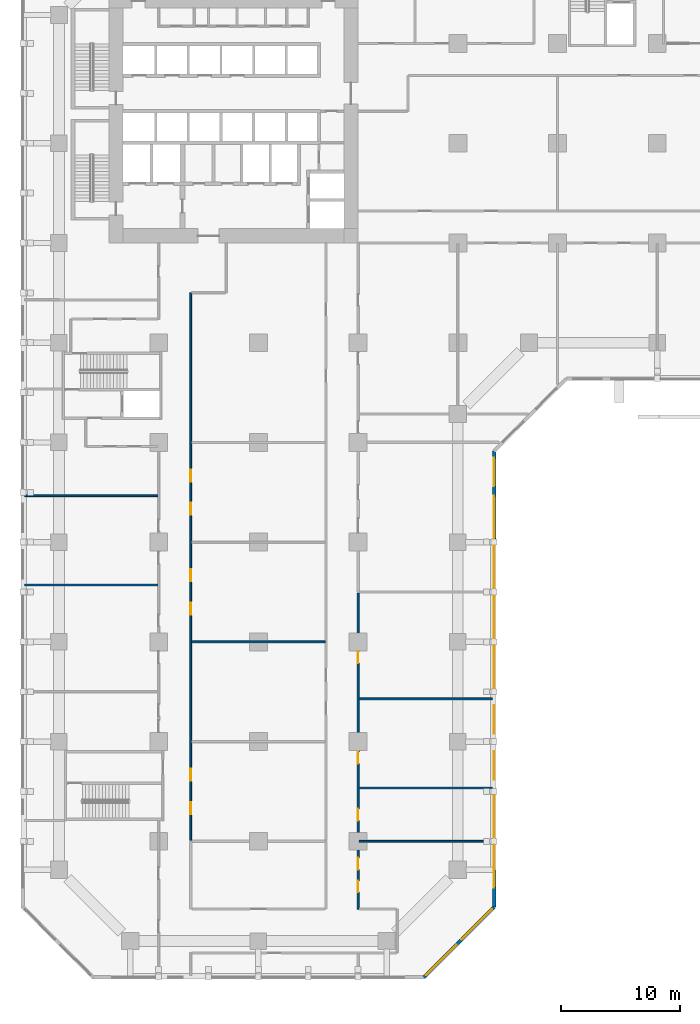
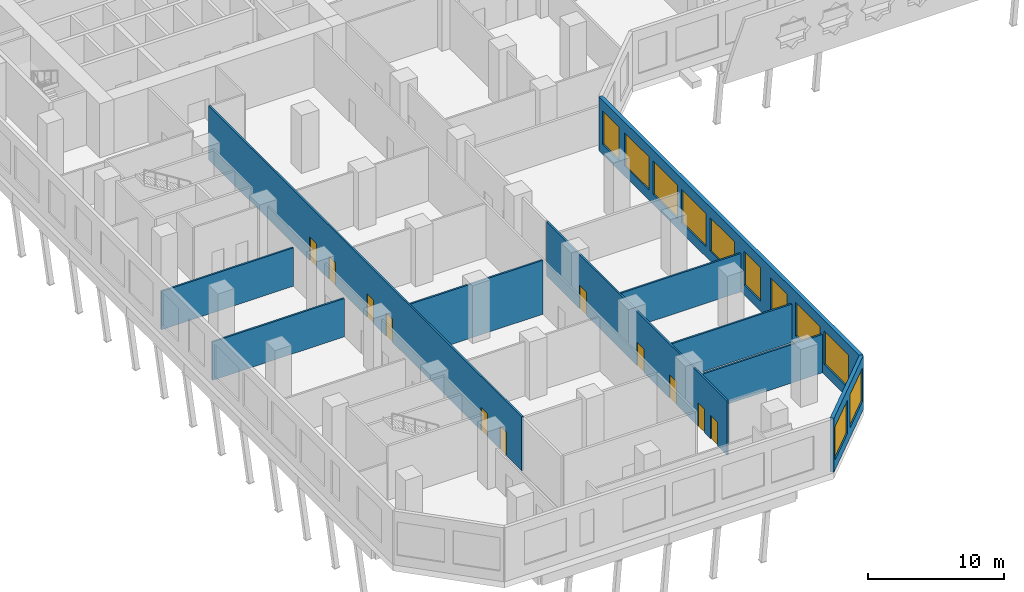
# One storey, part 4 of 21: 11 doors, 11 windows, 10 walls, 22 openings.
"""IFC4 building model written with IfcOpenShell, lengths in metres."""

import ifcopenshell
import ifcopenshell.guid

model = None  # the IFC model being written
_history = None  # IfcOwnerHistory: only IFC2X3 demands one
_inside = {}  # id of a spatial element -> (the spatial element, [elements in it])
_under = {}  # id of a project, library or spatial element -> (it, [spatial elements below it])
_declared = {}  # id of a project -> (the project, [libraries it declares])
_typed = {}  # id of a type object -> (the type object, [elements of that type])
_made_of = {}  # id of a material, layer set ... -> (it, [elements and type objects made of it])


def new_model(schema):
    """Start an empty IFC model of exactly this schema.

    Asked for "IFC4X3", IfcOpenShell would pick the latest addendum, in which some entities
    have other attributes; the version numbers below select the first issue.
    IFC2X3 requires an IfcOwnerHistory on every rooted entity: one is made here for all.
    """
    global model, _history
    if schema == "IFC4X3":
        model = ifcopenshell.file(schema_version=(4, 3, 0, 0))
    else:
        model = ifcopenshell.file(schema=schema)
    _inside.clear()
    _under.clear()
    _declared.clear()
    _typed.clear()
    _made_of.clear()
    _history = None
    if model.schema == "IFC2X3":
        org = make("IfcOrganization", Name="unknown")
        user = make(
            "IfcPersonAndOrganization",
            ThePerson=make("IfcPerson", FamilyName="unknown"),
            TheOrganization=org,
        )
        app = make(
            "IfcApplication",
            ApplicationDeveloper=org,
            Version="unknown",
            ApplicationFullName="unknown",
            ApplicationIdentifier="unknown",
        )
        _history = make(
            "IfcOwnerHistory",
            OwningUser=user,
            OwningApplication=app,
            ChangeAction="ADDED",
            CreationDate=0,
        )
    return model


def make(cls, **values):
    """One entity of the class cls with the attributes given. An attribute that is None is left unset."""
    return model.create_entity(
        cls, **{name: value for name, value in values.items() if value is not None}
    )


def rooted(cls, **values):
    """An entity with a GlobalId (a new one), such as an element, a storey or a relation."""
    return make(cls, GlobalId=ifcopenshell.guid.new(), OwnerHistory=_history, **values)


def si_unit(unit_type, name, prefix=None):
    """IfcSIUnit, for example si_unit("LENGTHUNIT", "METRE", prefix="MILLI")."""
    return make("IfcSIUnit", UnitType=unit_type, Prefix=prefix, Name=name)


def assignment(units):
    """IfcUnitAssignment: the units of a project."""
    return None if units is None else make("IfcUnitAssignment", Units=units)


def point(xyz):
    """IfcCartesianPoint."""
    return None if xyz is None else make("IfcCartesianPoint", Coordinates=xyz)


def direction(xyz):
    """IfcDirection."""
    return None if xyz is None else make("IfcDirection", DirectionRatios=xyz)


def frame(location, z_axis=None, x_axis=None):
    """IfcAxis2Placement3D, a coordinate frame: its origin and axes. An axis left out is left unset."""
    return make(
        "IfcAxis2Placement3D",
        Location=point(location),
        Axis=direction(z_axis),
        RefDirection=direction(x_axis),
    )


def frame_2d(location, x_axis=None):
    """IfcAxis2Placement2D, a coordinate frame in the plane: its origin and x axis."""
    return make(
        "IfcAxis2Placement2D", Location=point(location), RefDirection=direction(x_axis)
    )


def origin():
    """The frame at (0, 0, 0) with its axes left unset."""
    return frame((0.0, 0.0, 0.0))


def place(relative_to, where):
    """IfcLocalPlacement: puts the frame where relative to a parent placement (None: the world)."""
    return make(
        "IfcLocalPlacement", PlacementRelTo=relative_to, RelativePlacement=where
    )


def context(
    kind, dimensions, precision=None, world=None, true_north=None, identifier=None
):
    """IfcGeometricRepresentationContext, for example the 3D "Model" context."""
    return make(
        "IfcGeometricRepresentationContext",
        ContextIdentifier=identifier,
        ContextType=kind,
        CoordinateSpaceDimension=dimensions,
        Precision=precision,
        WorldCoordinateSystem=world,
        TrueNorth=true_north,
    )


def subcontext(parent, identifier, kind, view, scale=None):
    """IfcGeometricRepresentationSubContext, for example "Body" below "Model"."""
    return make(
        "IfcGeometricRepresentationSubContext",
        ContextIdentifier=identifier,
        ContextType=kind,
        ParentContext=parent,
        TargetScale=scale,
        TargetView=view,
    )


def project(units=None, contexts=None):
    """IfcProject with its units and contexts."""
    return rooted(
        "IfcProject",
        Name="project",
        RepresentationContexts=contexts,
        UnitsInContext=assignment(units),
    )


def spatial(cls, under=None, at=None, **own):
    """A site, building, storey or space (cls), placed at a placement, below another one or the project."""
    s = rooted(cls, ObjectPlacement=at, **own)
    if under is not None:
        _under.setdefault(under.id(), (under, []))[1].append(s)
    return s


def profile(cls, at=None, kind="AREA", **sizes):
    """A parametric profile (cls). Its sizes go by their IFC names, for example OverallWidth=200.0."""
    return make(cls, ProfileType=kind, Position=at, **sizes)


def rectangle(**sizes):
    """IfcRectangleProfileDef."""
    return profile("IfcRectangleProfileDef", **sizes)


def extrude(swept, where, along, depth):
    """IfcExtrudedAreaSolid: the profile swept, set in the frame where, extruded along a direction by depth."""
    return make(
        "IfcExtrudedAreaSolid",
        SweptArea=swept,
        Position=where,
        ExtrudedDirection=direction(along),
        Depth=depth,
    )


def shape(context_of_items, identifier, shape_type, items):
    """IfcShapeRepresentation: the items that make up one representation, for example the "Body"."""
    return make(
        "IfcShapeRepresentation",
        ContextOfItems=context_of_items,
        RepresentationIdentifier=identifier,
        RepresentationType=shape_type,
        Items=items,
    )


def material(Name=None, Category=None):
    """IfcMaterial."""
    return make("IfcMaterial", Name=Name, Category=Category)


def layer(
    of_material, thickness, ventilated=None, Name=None, Category=None, Priority=None
):
    """IfcMaterialLayer: one layer of a wall or slab, of a material (None: an air gap)."""
    return make(
        "IfcMaterialLayer",
        Material=of_material,
        LayerThickness=thickness,
        IsVentilated=ventilated,
        Name=Name,
        Category=Category,
        Priority=Priority,
    )


def layer_set(layers, Name=None):
    """IfcMaterialLayerSet."""
    return make("IfcMaterialLayerSet", MaterialLayers=layers, LayerSetName=Name)


def made_of(thing, what):
    """Note that an element or type object is made of a material, layer set ...; save() writes the relation."""
    if what is not None:
        _made_of.setdefault(what.id(), (what, []))[1].append(thing)
    return thing


def type_object(cls, material=None, **own):
    """A type object (cls), such as IfcWallType, which elements share."""
    return made_of(rooted(cls, **own), material)


def element(
    cls,
    number,
    at=None,
    inside=None,
    cuts=None,
    type_object=None,
    material=None,
    context=None,
    identifier="Body",
    shape_type=None,
    held_by="IfcProductDefinitionShape",
    body=None,
    shapes=None,
    **own,
):
    """One element of the class cls, such as IfcWall. Its Tag is "e" and its number.

    at: its placement. inside: the storey or other place that contains it. cuts: it is an
    opening in that element (IfcRelVoidsElement). A single representation is given by context,
    identifier, shape_type and body (its items); several are given by shapes. held_by: the class
    of the entity that holds the representations. save() writes the other relations.
    """
    e = rooted(cls, Tag="e%d" % number, ObjectPlacement=at, **own)
    if body is not None:
        shapes = [shape(context, identifier, shape_type, body)]
    if shapes is not None:
        e.Representation = make(held_by, Representations=shapes)
    if inside is not None:
        _inside.setdefault(inside.id(), (inside, []))[1].append(e)
    if cuts is not None:
        rooted(
            "IfcRelVoidsElement", RelatingBuildingElement=cuts, RelatedOpeningElement=e
        )
    if type_object is not None:
        _typed.setdefault(type_object.id(), (type_object, []))[1].append(e)
    return made_of(e, material)


def fill(opening, filler):
    """IfcRelFillsElement: the door or window that sits in an opening."""
    return rooted(
        "IfcRelFillsElement",
        RelatingOpeningElement=opening,
        RelatedBuildingElement=filler,
    )


def aggregate(whole, parts):
    """IfcRelAggregates: a whole, such as a stair, and the parts it consists of."""
    return rooted("IfcRelAggregates", RelatingObject=whole, RelatedObjects=parts)


def save(model, path):
    """Write the relations noted so far, then the file.

    IfcRelAggregates (storeys below a building ...), IfcRelContainedInSpatialStructure (elements
    in a storey), IfcRelDefinesByType, IfcRelAssociatesMaterial and IfcRelDeclares: one each for
    every whole, place, type object, material and project.
    """
    for whole, parts in _under.values():
        aggregate(whole, parts)
    for where, things in _inside.values():
        rooted(
            "IfcRelContainedInSpatialStructure",
            RelatedElements=things,
            RelatingStructure=where,
        )
    for kind, things in _typed.values():
        rooted("IfcRelDefinesByType", RelatedObjects=things, RelatingType=kind)
    for what, things in _made_of.values():
        rooted("IfcRelAssociatesMaterial", RelatedObjects=things, RelatingMaterial=what)
    for by, libraries in _declared.values():
        rooted("IfcRelDeclares", RelatingContext=by, RelatedDefinitions=libraries)
    model.write(path)


model = new_model("IFC4")

# Units and contexts
model_context = context("Model", 3, precision=1e-05, world=origin(), true_north=direction((0.0, 1.0)))
body_context = subcontext(model_context, "Body", "Model", "MODEL_VIEW")
ifc_project = project(units=[si_unit("LENGTHUNIT", "METRE"), si_unit("AREAUNIT", "SQUARE_METRE"), si_unit("VOLUMEUNIT", "CUBIC_METRE"), si_unit("PLANEANGLEUNIT", "RADIAN"), si_unit("MASSUNIT", "GRAM", prefix="KILO")], contexts=[model_context])

# Site, building, storey
site_placement = place(None, origin())
site = spatial("IfcSite", under=ifc_project, at=site_placement, CompositionType="ELEMENT")
building_placement = place(site_placement, origin())
building = spatial("IfcBuilding", under=site, at=building_placement, Name="Kawkab Arch Medical Tower", CompositionType="ELEMENT")
storey_placement = place(building_placement, frame((0.0, 0.0, 23.800048828125)))
storey = spatial("IfcBuildingStorey", under=building, at=storey_placement, Name="L05", CompositionType="ELEMENT", Elevation=23.800048828125)

# Walls
ifc_material_1 = material(Name="Gypsum board partition on steel studs, mineral wool", Category="steel")
ifc_layer_1 = layer(ifc_material_1, 0.14990234375)
ifc_layer_set_1 = layer_set([ifc_layer_1], Name="Gypsum board partition on steel studs, mineral wool")
wall_type_1 = type_object("IfcWallType", Name="Partition 150", PredefinedType="PARTITIONING", material=ifc_layer_set_1)
for number, where, z_axis, x_axis, name in (
    (1, (25.27490234375, -75.60009765625, 0.0), (0.0, 0.0, 1.0), (1.0, 0.0, 0.0), "Partition 150 w003"),
    (2, (25.27490234375, -71.10009765625, 0.0), (0.0, 0.0, 1.0), (1.0, 0.0, 0.0), "Partition 150 w005"),
    (3, (25.27490234375, -63.60009765625, 0.0), (0.0, 0.0, 1.0), (1.0, 0.0, 0.0), "Partition 150 w007"),
):
    element("IfcWall", number, at=place(storey_placement, frame(where, z_axis=z_axis, x_axis=x_axis)), inside=storey, type_object=wall_type_1, Name=name, PredefinedType="PARTITIONING", context=body_context, shape_type="SweptSolid", body=[
        extrude(rectangle(XDim=11.205078125, YDim=0.14990234375, at=frame_2d((5.6025390625, 0.0))), origin(), (0.0, 0.0, 1.0), 3.449951171875),
    ])
wall_1_placement = place(storey_placement, frame((11.175048828125, -58.800048828125, 0.0), z_axis=(0.0, 0.0, 1.0), x_axis=(1.0, 0.0, 0.0)))
element("IfcWall", 4, at=wall_1_placement, inside=storey, type_object=wall_type_1, Name="Partition 150 w009", PredefinedType="PARTITIONING", context=body_context, shape_type="SweptSolid", body=[
    extrude(rectangle(XDim=11.25, YDim=0.14990234375, at=frame_2d((5.625, 0.0))), origin(), (0.0, 0.0, 1.0), 4.849853515625),
])
for number, where, z_axis, x_axis, name in (
    (5, (-2.8798828125, -54.0, 0.0), (0.0, 0.0, 1.0), (1.0, 0.0, 0.0), "Partition 150 w010"),
    (6, (-2.8798828125, -46.5, 0.0), (0.0, 0.0, 1.0), (1.0, 0.0, 0.0), "Partition 150 w012"),
):
    element("IfcWall", number, at=place(storey_placement, frame(where, z_axis=z_axis, x_axis=x_axis)), inside=storey, type_object=wall_type_1, Name=name, PredefinedType="PARTITIONING", context=body_context, shape_type="SweptSolid", body=[
        extrude(rectangle(XDim=11.204833984375, YDim=0.14990234375, at=frame_2d((5.6025390625, 0.0))), origin(), (0.0, 0.0, 1.0), 3.449951171875),
    ])

# Wall, openings, doors
wall_2_placement = place(storey_placement, frame((11.10009765625, -75.5, 0.0), z_axis=(0.0, 0.0, 1.0), x_axis=(0.0, 1.0, 0.0)))
wall_2 = element("IfcWall", 7, at=wall_2_placement, inside=storey, type_object=wall_type_1, Name="Partition 150 w040", PredefinedType="PARTITIONING", context=body_context, shape_type="SweptSolid", body=[
    extrude(rectangle(XDim=46.10009765625, YDim=0.14990234375, at=frame_2d((23.050048828125, 0.0))), origin(), (0.0, 0.0, 1.0), 4.849853515625),
])
opening_1_placement = place(wall_2_placement, frame((30.199951171875, 0.0, 0.0)))
opening_1 = element("IfcOpeningElement", 8, at=opening_1_placement, cuts=wall_2, Name="Opening P05-046", PredefinedType="OPENING", context=body_context, shape_type="SweptSolid", body=[
    extrude(rectangle(XDim=1.0, YDim=2.10009765625, at=frame_2d((0.5, 1.050048828125))), frame((0.0, 0.0849609375, 0.0), z_axis=(0.0, -1.0, 0.0), x_axis=(1.0, 0.0, 0.0)), (0.0, 0.0, 1.0), 0.169921875),
])
opening_2_placement = place(wall_2_placement, frame((27.39990234375, 0.0, 0.0)))
opening_2 = element("IfcOpeningElement", 9, at=opening_2_placement, cuts=wall_2, Name="Opening P05-047", PredefinedType="OPENING", context=body_context, shape_type="SweptSolid", body=[
    extrude(rectangle(XDim=1.0, YDim=2.10009765625, at=frame_2d((0.5, 1.050048828125))), frame((0.0, 0.0849609375, 0.0), z_axis=(0.0, -1.0, 0.0), x_axis=(1.0, 0.0, 0.0)), (0.0, 0.0, 1.0), 0.169921875),
])
opening_3_placement = place(wall_2_placement, frame((21.800048828125, 0.0, 0.0)))
opening_3 = element("IfcOpeningElement", 10, at=opening_3_placement, cuts=wall_2, Name="Opening P05-048", PredefinedType="OPENING", context=body_context, shape_type="SweptSolid", body=[
    extrude(rectangle(XDim=1.0, YDim=2.10009765625, at=frame_2d((0.5, 1.050048828125))), frame((0.0, 0.0849609375, 0.0), z_axis=(0.0, -1.0, 0.0), x_axis=(1.0, 0.0, 0.0)), (0.0, 0.0, 1.0), 0.169921875),
])
opening_4_placement = place(wall_2_placement, frame((19.0, 0.0, 0.0)))
opening_4 = element("IfcOpeningElement", 11, at=opening_4_placement, cuts=wall_2, Name="Opening P05-049", PredefinedType="OPENING", context=body_context, shape_type="SweptSolid", body=[
    extrude(rectangle(XDim=1.0, YDim=2.10009765625, at=frame_2d((0.5, 1.050048828125))), frame((0.0, 0.0849609375, 0.0), z_axis=(0.0, -1.0, 0.0), x_axis=(1.0, 0.0, 0.0)), (0.0, 0.0, 1.0), 0.169921875),
])
opening_5_placement = place(wall_2_placement, frame((5.0, 0.0, 0.0)))
opening_5 = element("IfcOpeningElement", 12, at=opening_5_placement, cuts=wall_2, Name="Opening P05-052", PredefinedType="OPENING", context=body_context, shape_type="SweptSolid", body=[
    extrude(rectangle(XDim=1.0, YDim=2.10009765625, at=frame_2d((0.5, 1.050048828125))), frame((0.0, 0.0849609375, 0.0), z_axis=(0.0, -1.0, 0.0), x_axis=(1.0, 0.0, 0.0)), (0.0, 0.0, 1.0), 0.169921875),
])
opening_6_placement = place(wall_2_placement, frame((2.199951171875, 0.0, 0.0)))
opening_6 = element("IfcOpeningElement", 13, at=opening_6_placement, cuts=wall_2, Name="Opening P05-053", PredefinedType="OPENING", context=body_context, shape_type="SweptSolid", body=[
    extrude(rectangle(XDim=1.0, YDim=2.10009765625, at=frame_2d((0.5, 1.050048828125))), frame((0.0, 0.0849609375, 0.0), z_axis=(0.0, -1.0, 0.0), x_axis=(1.0, 0.0, 0.0)), (0.0, 0.0, 1.0), 0.169921875),
])
ifc_material_2 = material(Name="Hollow metal door leaf")
door_type = type_object("IfcDoorType", Name="Single door 1000x2100 FD30S", OperationType="NOTDEFINED", PredefinedType="DOOR", material=ifc_material_2)
door_1_placement = place(opening_1_placement, origin())
door_1 = element("IfcDoor", 14, at=door_1_placement, inside=storey, type_object=door_type, Name="Door P05-046", OperationType="SINGLE_SWING_LEFT", OverallHeight=2.10009765625, OverallWidth=1.0, PredefinedType="DOOR", context=body_context, shape_type="SweptSolid", body=[
    extrude(rectangle(XDim=1.0, YDim=2.10009765625, at=frame_2d((0.5, 1.050048828125))), frame((0.0, 0.02490234375, 0.0), z_axis=(0.0, -1.0, 0.0), x_axis=(1.0, 0.0, 0.0)), (0.0, 0.0, 1.0), 0.050048828125),
])
fill(opening_1, door_1)
door_2_placement = place(opening_2_placement, origin())
door_2 = element("IfcDoor", 15, at=door_2_placement, inside=storey, type_object=door_type, Name="Door P05-047", OperationType="SINGLE_SWING_LEFT", OverallHeight=2.10009765625, OverallWidth=1.0, PredefinedType="DOOR", context=body_context, shape_type="SweptSolid", body=[
    extrude(rectangle(XDim=1.0, YDim=2.10009765625, at=frame_2d((0.5, 1.050048828125))), frame((0.0, 0.02490234375, 0.0), z_axis=(0.0, -1.0, 0.0), x_axis=(1.0, 0.0, 0.0)), (0.0, 0.0, 1.0), 0.050048828125),
])
fill(opening_2, door_2)
door_3_placement = place(opening_3_placement, origin())
door_3 = element("IfcDoor", 16, at=door_3_placement, inside=storey, type_object=door_type, Name="Door P05-048", OperationType="SINGLE_SWING_RIGHT", OverallHeight=2.10009765625, OverallWidth=1.0, PredefinedType="DOOR", context=body_context, shape_type="SweptSolid", body=[
    extrude(rectangle(XDim=1.0, YDim=2.10009765625, at=frame_2d((0.5, 1.050048828125))), frame((0.0, 0.02490234375, 0.0), z_axis=(0.0, -1.0, 0.0), x_axis=(1.0, 0.0, 0.0)), (0.0, 0.0, 1.0), 0.050048828125),
])
fill(opening_3, door_3)
door_4_placement = place(opening_4_placement, origin())
door_4 = element("IfcDoor", 17, at=door_4_placement, inside=storey, type_object=door_type, Name="Door P05-049", OperationType="SINGLE_SWING_RIGHT", OverallHeight=2.10009765625, OverallWidth=1.0, PredefinedType="DOOR", context=body_context, shape_type="SweptSolid", body=[
    extrude(rectangle(XDim=1.0, YDim=2.10009765625, at=frame_2d((0.5, 1.050048828125))), frame((0.0, 0.02490234375, 0.0), z_axis=(0.0, -1.0, 0.0), x_axis=(1.0, 0.0, 0.0)), (0.0, 0.0, 1.0), 0.050048828125),
])
fill(opening_4, door_4)
door_5_placement = place(opening_5_placement, origin())
door_5 = element("IfcDoor", 18, at=door_5_placement, inside=storey, type_object=door_type, Name="Door P05-052", OperationType="SINGLE_SWING_RIGHT", OverallHeight=2.10009765625, OverallWidth=1.0, PredefinedType="DOOR", context=body_context, shape_type="SweptSolid", body=[
    extrude(rectangle(XDim=1.0, YDim=2.10009765625, at=frame_2d((0.5, 1.050048828125))), frame((0.0, 0.02490234375, 0.0), z_axis=(0.0, -1.0, 0.0), x_axis=(1.0, 0.0, 0.0)), (0.0, 0.0, 1.0), 0.050048828125),
])
fill(opening_5, door_5)
door_6_placement = place(opening_6_placement, origin())
door_6 = element("IfcDoor", 19, at=door_6_placement, inside=storey, type_object=door_type, Name="Door P05-053", OperationType="SINGLE_SWING_RIGHT", OverallHeight=2.10009765625, OverallWidth=1.0, PredefinedType="DOOR", context=body_context, shape_type="SweptSolid", body=[
    extrude(rectangle(XDim=1.0, YDim=2.10009765625, at=frame_2d((0.5, 1.050048828125))), frame((0.0, 0.02490234375, 0.0), z_axis=(0.0, -1.0, 0.0), x_axis=(1.0, 0.0, 0.0)), (0.0, 0.0, 1.0), 0.050048828125),
])
fill(opening_6, door_6)

wall_3_placement = place(storey_placement, frame((25.199951171875, -81.300048828125, 0.0), z_axis=(0.0, 0.0, 1.0), x_axis=(0.0, 1.0, 0.0)))
wall_3 = element("IfcWall", 20, at=wall_3_placement, inside=storey, type_object=wall_type_1, Name="Partition 150 w044", PredefinedType="PARTITIONING", context=body_context, shape_type="SweptSolid", body=[
    extrude(rectangle(XDim=26.60009765625, YDim=0.14990234375, at=frame_2d((13.300048828125, 0.0))), origin(), (0.0, 0.0, 1.0), 4.849853515625),
])
opening_7_placement = place(wall_3_placement, frame((20.699951171875, 0.0, 0.0)))
opening_7 = element("IfcOpeningElement", 21, at=opening_7_placement, cuts=wall_3, Name="Opening P05-055", PredefinedType="OPENING", context=body_context, shape_type="SweptSolid", body=[
    extrude(rectangle(XDim=1.0, YDim=2.10009765625, at=frame_2d((0.5, 1.050048828125))), frame((0.0, 0.0849609375, 0.0), z_axis=(0.0, -1.0, 0.0), x_axis=(1.0, 0.0, 0.0)), (0.0, 0.0, 1.0), 0.169921875),
])
opening_8_placement = place(wall_3_placement, frame((12.25, 0.0, 0.0)))
opening_8 = element("IfcOpeningElement", 22, at=opening_8_placement, cuts=wall_3, Name="Opening P05-056", PredefinedType="OPENING", context=body_context, shape_type="SweptSolid", body=[
    extrude(rectangle(XDim=1.0, YDim=2.10009765625, at=frame_2d((0.5, 1.050048828125))), frame((0.0, 0.0849609375, 0.0), z_axis=(0.0, -1.0, 0.0), x_axis=(1.0, 0.0, 0.0)), (0.0, 0.0, 1.0), 0.169921875),
])
opening_9_placement = place(wall_3_placement, frame((7.449951171875, 0.0, 0.0)))
opening_9 = element("IfcOpeningElement", 23, at=opening_9_placement, cuts=wall_3, Name="Opening P05-057", PredefinedType="OPENING", context=body_context, shape_type="SweptSolid", body=[
    extrude(rectangle(XDim=1.0, YDim=2.10009765625, at=frame_2d((0.5, 1.050048828125))), frame((0.0, 0.0849609375, 0.0), z_axis=(0.0, -1.0, 0.0), x_axis=(1.0, 0.0, 0.0)), (0.0, 0.0, 1.0), 0.169921875),
])
opening_10_placement = place(wall_3_placement, frame((3.300048828125, 0.0, 0.0)))
opening_10 = element("IfcOpeningElement", 24, at=opening_10_placement, cuts=wall_3, Name="Opening P05-058", PredefinedType="OPENING", context=body_context, shape_type="SweptSolid", body=[
    extrude(rectangle(XDim=1.0, YDim=2.10009765625, at=frame_2d((0.5, 1.050048828125))), frame((0.0, 0.0849609375, 0.0), z_axis=(0.0, -1.0, 0.0), x_axis=(1.0, 0.0, 0.0)), (0.0, 0.0, 1.0), 0.169921875),
])
opening_11_placement = place(wall_3_placement, frame((1.39990234375, 0.0, 0.0)))
opening_11 = element("IfcOpeningElement", 25, at=opening_11_placement, cuts=wall_3, Name="Opening P05-059", PredefinedType="OPENING", context=body_context, shape_type="SweptSolid", body=[
    extrude(rectangle(XDim=1.0, YDim=2.10009765625, at=frame_2d((0.5, 1.050048828125))), frame((0.0, 0.0849609375, 0.0), z_axis=(0.0, -1.0, 0.0), x_axis=(1.0, 0.0, 0.0)), (0.0, 0.0, 1.0), 0.169921875),
])
door_7_placement = place(opening_7_placement, origin())
door_7 = element("IfcDoor", 26, at=door_7_placement, inside=storey, type_object=door_type, Name="Door P05-055", OperationType="SINGLE_SWING_LEFT", OverallHeight=2.10009765625, OverallWidth=1.0, PredefinedType="DOOR", context=body_context, shape_type="SweptSolid", body=[
    extrude(rectangle(XDim=1.0, YDim=2.10009765625, at=frame_2d((0.5, 1.050048828125))), frame((0.0, 0.02490234375, 0.0), z_axis=(0.0, -1.0, 0.0), x_axis=(1.0, 0.0, 0.0)), (0.0, 0.0, 1.0), 0.050048828125),
])
fill(opening_7, door_7)
door_8_placement = place(opening_8_placement, origin())
door_8 = element("IfcDoor", 27, at=door_8_placement, inside=storey, type_object=door_type, Name="Door P05-056", OperationType="SINGLE_SWING_RIGHT", OverallHeight=2.10009765625, OverallWidth=1.0, PredefinedType="DOOR", context=body_context, shape_type="SweptSolid", body=[
    extrude(rectangle(XDim=1.0, YDim=2.10009765625, at=frame_2d((0.5, 1.050048828125))), frame((0.0, 0.02490234375, 0.0), z_axis=(0.0, -1.0, 0.0), x_axis=(1.0, 0.0, 0.0)), (0.0, 0.0, 1.0), 0.050048828125),
])
fill(opening_8, door_8)
door_9_placement = place(opening_9_placement, origin())
door_9 = element("IfcDoor", 28, at=door_9_placement, inside=storey, type_object=door_type, Name="Door P05-057", OperationType="SINGLE_SWING_RIGHT", OverallHeight=2.10009765625, OverallWidth=1.0, PredefinedType="DOOR", context=body_context, shape_type="SweptSolid", body=[
    extrude(rectangle(XDim=1.0, YDim=2.10009765625, at=frame_2d((0.5, 1.050048828125))), frame((0.0, 0.02490234375, 0.0), z_axis=(0.0, -1.0, 0.0), x_axis=(1.0, 0.0, 0.0)), (0.0, 0.0, 1.0), 0.050048828125),
])
fill(opening_9, door_9)
door_10_placement = place(opening_10_placement, origin())
door_10 = element("IfcDoor", 29, at=door_10_placement, inside=storey, type_object=door_type, Name="Door P05-058", OperationType="SINGLE_SWING_RIGHT", OverallHeight=2.10009765625, OverallWidth=1.0, PredefinedType="DOOR", context=body_context, shape_type="SweptSolid", body=[
    extrude(rectangle(XDim=1.0, YDim=2.10009765625, at=frame_2d((0.5, 1.050048828125))), frame((0.0, 0.02490234375, 0.0), z_axis=(0.0, -1.0, 0.0), x_axis=(1.0, 0.0, 0.0)), (0.0, 0.0, 1.0), 0.050048828125),
])
fill(opening_10, door_10)
door_11_placement = place(opening_11_placement, origin())
door_11 = element("IfcDoor", 30, at=door_11_placement, inside=storey, type_object=door_type, Name="Door P05-059", OperationType="SINGLE_SWING_RIGHT", OverallHeight=2.10009765625, OverallWidth=1.0, PredefinedType="DOOR", context=body_context, shape_type="SweptSolid", body=[
    extrude(rectangle(XDim=1.0, YDim=2.10009765625, at=frame_2d((0.5, 1.050048828125))), frame((0.0, 0.02490234375, 0.0), z_axis=(0.0, -1.0, 0.0), x_axis=(1.0, 0.0, 0.0)), (0.0, 0.0, 1.0), 0.050048828125),
])
fill(opening_11, door_11)

# Wall, openings, windows
ifc_material_3 = material(Name="Bronze clad insulated wall panel")
ifc_layer_2 = layer(ifc_material_3, 0.300048828125)
ifc_layer_set_2 = layer_set([ifc_layer_2], Name="Bronze clad insulated wall panel")
wall_type_2 = type_object("IfcWallType", Name="Podium external wall 300", PredefinedType="SOLIDWALL", material=ifc_layer_set_2)
wall_4_placement = place(storey_placement, frame((30.73779296875, -87.050048828125, 0.0), z_axis=(0.0, 0.0, 1.0), x_axis=(0.707106781187, 0.707106781187, 0.0)))
wall_4 = element("IfcWall", 31, at=wall_4_placement, inside=storey, type_object=wall_type_2, Name="Podium external wall L05 R05", PredefinedType="SOLIDWALL", context=body_context, shape_type="SweptSolid", body=[
    extrude(rectangle(XDim=8.361083984375, YDim=0.300048828125, at=frame_2d((4.1806640625, 0.0))), origin(), (0.0, 0.0, 1.0), 4.849853515625),
])
opening_12_placement = place(wall_4_placement, frame((0.259033203125, 0.0, 0.89990234375)))
opening_12 = element("IfcOpeningElement", 32, at=opening_12_placement, cuts=wall_4, Name="Opening PBW360-30-S9", PredefinedType="OPENING", context=body_context, shape_type="SweptSolid", body=[
    extrude(rectangle(XDim=3.60009765625, YDim=3.0, at=frame_2d((1.800048828125, 1.5))), frame((0.0, 0.159912109375, 0.0), z_axis=(0.0, -1.0, 0.0), x_axis=(1.0, 0.0, 0.0)), (0.0, 0.0, 1.0), 0.320068359375),
])
opening_13_placement = place(wall_4_placement, frame((4.501708984375, 0.0, 0.89990234375)))
opening_13 = element("IfcOpeningElement", 33, at=opening_13_placement, cuts=wall_4, Name="Opening PBW360-30-S9", PredefinedType="OPENING", context=body_context, shape_type="SweptSolid", body=[
    extrude(rectangle(XDim=3.60009765625, YDim=3.0, at=frame_2d((1.800048828125, 1.5))), frame((0.0, 0.159912109375, 0.0), z_axis=(0.0, -1.0, 0.0), x_axis=(1.0, 0.0, 0.0)), (0.0, 0.0, 1.0), 0.320068359375),
])
ifc_material_4 = material(Name="Bronze anodised aluminium louvred window", Category="aluminium")
window_type_1 = type_object("IfcWindowType", Name="Podium band window 3600 x 3000 sill 900", PartitioningType="DOUBLE_PANEL_VERTICAL", PredefinedType="WINDOW", material=ifc_material_4)
window_1_placement = place(opening_12_placement, origin())
window_1 = element("IfcWindow", 34, at=window_1_placement, inside=storey, type_object=window_type_1, Name="Band window L05 R05.1", OverallHeight=3.0, OverallWidth=3.60009765625, PartitioningType="SINGLE_PANEL", PredefinedType="WINDOW", context=body_context, shape_type="SweptSolid", body=[
    extrude(rectangle(XDim=3.60009765625, YDim=3.0, at=frame_2d((1.800048828125, 1.5))), frame((0.0, 0.030029296875, 0.0), z_axis=(0.0, -1.0, 0.0), x_axis=(1.0, 0.0, 0.0)), (0.0, 0.0, 1.0), 0.06005859375),
])
fill(opening_12, window_1)
window_2_placement = place(opening_13_placement, origin())
window_2 = element("IfcWindow", 35, at=window_2_placement, inside=storey, type_object=window_type_1, Name="Band window L05 R05.2", OverallHeight=3.0, OverallWidth=3.60009765625, PartitioningType="SINGLE_PANEL", PredefinedType="WINDOW", context=body_context, shape_type="SweptSolid", body=[
    extrude(rectangle(XDim=3.60009765625, YDim=3.0, at=frame_2d((1.800048828125, 1.5))), frame((0.0, 0.030029296875, 0.0), z_axis=(0.0, -1.0, 0.0), x_axis=(1.0, 0.0, 0.0)), (0.0, 0.0, 1.0), 0.06005859375),
])
fill(opening_13, window_2)

wall_5_placement = place(storey_placement, frame((36.64990234375, -81.137939453125, 0.0), z_axis=(0.0, 0.0, 1.0), x_axis=(0.0, 1.0, 0.0)))
wall_5 = element("IfcWall", 36, at=wall_5_placement, inside=storey, type_object=wall_type_2, Name="Podium external wall L05 R06", PredefinedType="SOLIDWALL", context=body_context, shape_type="SweptSolid", body=[
    extrude(rectangle(XDim=38.400146484375, YDim=0.300048828125, at=frame_2d((19.2001953125, 0.0))), origin(), (0.0, 0.0, 1.0), 4.849853515625),
])
opening_14_placement = place(wall_5_placement, frame((1.637939453125, 0.0, 0.89990234375)))
opening_14 = element("IfcOpeningElement", 37, at=opening_14_placement, cuts=wall_5, Name="Opening PBW360-30-S9", PredefinedType="OPENING", context=body_context, shape_type="SweptSolid", body=[
    extrude(rectangle(XDim=3.60009765625, YDim=3.0, at=frame_2d((1.800048828125, 1.5))), frame((0.0, 0.159912109375, 0.0), z_axis=(0.0, -1.0, 0.0), x_axis=(1.0, 0.0, 0.0)), (0.0, 0.0, 1.0), 0.320068359375),
])
opening_15_placement = place(wall_5_placement, frame((5.837890625, 0.0, 0.89990234375)))
opening_15 = element("IfcOpeningElement", 38, at=opening_15_placement, cuts=wall_5, Name="Opening PBW360-30-S9", PredefinedType="OPENING", context=body_context, shape_type="SweptSolid", body=[
    extrude(rectangle(XDim=3.60009765625, YDim=3.0, at=frame_2d((1.800048828125, 1.5))), frame((0.0, 0.159912109375, 0.0), z_axis=(0.0, -1.0, 0.0), x_axis=(1.0, 0.0, 0.0)), (0.0, 0.0, 1.0), 0.320068359375),
])
opening_16_placement = place(wall_5_placement, frame((10.712890625, 0.0, 0.89990234375)))
opening_16 = element("IfcOpeningElement", 39, at=opening_16_placement, cuts=wall_5, Name="Opening PBW240-30-S9", PredefinedType="OPENING", context=body_context, shape_type="SweptSolid", body=[
    extrude(rectangle(XDim=2.39990234375, YDim=3.0, at=frame_2d((1.199951171875, 1.5))), frame((0.0, 0.159912109375, 0.0), z_axis=(0.0, -1.0, 0.0), x_axis=(1.0, 0.0, 0.0)), (0.0, 0.0, 1.0), 0.320068359375),
])
opening_17_placement = place(wall_5_placement, frame((14.61279296875, 0.0, 0.89990234375)))
opening_17 = element("IfcOpeningElement", 40, at=opening_17_placement, cuts=wall_5, Name="Opening PBW240-30-S9", PredefinedType="OPENING", context=body_context, shape_type="SweptSolid", body=[
    extrude(rectangle(XDim=2.39990234375, YDim=3.0, at=frame_2d((1.199951171875, 1.5))), frame((0.0, 0.159912109375, 0.0), z_axis=(0.0, -1.0, 0.0), x_axis=(1.0, 0.0, 0.0)), (0.0, 0.0, 1.0), 0.320068359375),
])
opening_18_placement = place(wall_5_placement, frame((18.43798828125, 0.0, 0.89990234375)))
opening_18 = element("IfcOpeningElement", 41, at=opening_18_placement, cuts=wall_5, Name="Opening PBW360-30-S9", PredefinedType="OPENING", context=body_context, shape_type="SweptSolid", body=[
    extrude(rectangle(XDim=3.60009765625, YDim=3.0, at=frame_2d((1.800048828125, 1.5))), frame((0.0, 0.159912109375, 0.0), z_axis=(0.0, -1.0, 0.0), x_axis=(1.0, 0.0, 0.0)), (0.0, 0.0, 1.0), 0.320068359375),
])
opening_19_placement = place(wall_5_placement, frame((22.637939453125, 0.0, 0.89990234375)))
opening_19 = element("IfcOpeningElement", 42, at=opening_19_placement, cuts=wall_5, Name="Opening PBW360-30-S9", PredefinedType="OPENING", context=body_context, shape_type="SweptSolid", body=[
    extrude(rectangle(XDim=3.60009765625, YDim=3.0, at=frame_2d((1.800048828125, 1.5))), frame((0.0, 0.159912109375, 0.0), z_axis=(0.0, -1.0, 0.0), x_axis=(1.0, 0.0, 0.0)), (0.0, 0.0, 1.0), 0.320068359375),
])
opening_20_placement = place(wall_5_placement, frame((26.837890625, 0.0, 0.89990234375)))
opening_20 = element("IfcOpeningElement", 43, at=opening_20_placement, cuts=wall_5, Name="Opening PBW360-30-S9", PredefinedType="OPENING", context=body_context, shape_type="SweptSolid", body=[
    extrude(rectangle(XDim=3.60009765625, YDim=3.0, at=frame_2d((1.800048828125, 1.5))), frame((0.0, 0.159912109375, 0.0), z_axis=(0.0, -1.0, 0.0), x_axis=(1.0, 0.0, 0.0)), (0.0, 0.0, 1.0), 0.320068359375),
])
opening_21_placement = place(wall_5_placement, frame((31.037841796875, 0.0, 0.89990234375)))
opening_21 = element("IfcOpeningElement", 44, at=opening_21_placement, cuts=wall_5, Name="Opening PBW360-30-S9", PredefinedType="OPENING", context=body_context, shape_type="SweptSolid", body=[
    extrude(rectangle(XDim=3.60009765625, YDim=3.0, at=frame_2d((1.800048828125, 1.5))), frame((0.0, 0.159912109375, 0.0), z_axis=(0.0, -1.0, 0.0), x_axis=(1.0, 0.0, 0.0)), (0.0, 0.0, 1.0), 0.320068359375),
])
opening_22_placement = place(wall_5_placement, frame((35.43798828125, 0.0, 0.89990234375)))
opening_22 = element("IfcOpeningElement", 45, at=opening_22_placement, cuts=wall_5, Name="Opening PBW240-30-S9", PredefinedType="OPENING", context=body_context, shape_type="SweptSolid", body=[
    extrude(rectangle(XDim=2.39990234375, YDim=3.0, at=frame_2d((1.199951171875, 1.5))), frame((0.0, 0.159912109375, 0.0), z_axis=(0.0, -1.0, 0.0), x_axis=(1.0, 0.0, 0.0)), (0.0, 0.0, 1.0), 0.320068359375),
])
ifc_material_5 = material(Name="Bronze anodised aluminium louvred window", Category="aluminium")
window_type_2 = type_object("IfcWindowType", Name="Podium band window 2400 x 3000 sill 900", PartitioningType="DOUBLE_PANEL_VERTICAL", PredefinedType="WINDOW", material=ifc_material_5)
window_3_placement = place(opening_16_placement, origin())
window_3 = element("IfcWindow", 46, at=window_3_placement, inside=storey, type_object=window_type_2, Name="Band window L05 R06.3", OverallHeight=3.0, OverallWidth=2.39990234375, PartitioningType="SINGLE_PANEL", PredefinedType="WINDOW", context=body_context, shape_type="SweptSolid", body=[
    extrude(rectangle(XDim=2.39990234375, YDim=3.0, at=frame_2d((1.199951171875, 1.5))), frame((0.0, 0.030029296875, 0.0), z_axis=(0.0, -1.0, 0.0), x_axis=(1.0, 0.0, 0.0)), (0.0, 0.0, 1.0), 0.06005859375),
])
fill(opening_16, window_3)
window_4_placement = place(opening_17_placement, origin())
window_4 = element("IfcWindow", 47, at=window_4_placement, inside=storey, type_object=window_type_2, Name="Band window L05 R06.4", OverallHeight=3.0, OverallWidth=2.39990234375, PartitioningType="SINGLE_PANEL", PredefinedType="WINDOW", context=body_context, shape_type="SweptSolid", body=[
    extrude(rectangle(XDim=2.39990234375, YDim=3.0, at=frame_2d((1.199951171875, 1.5))), frame((0.0, 0.030029296875, 0.0), z_axis=(0.0, -1.0, 0.0), x_axis=(1.0, 0.0, 0.0)), (0.0, 0.0, 1.0), 0.06005859375),
])
fill(opening_17, window_4)
window_5_placement = place(opening_22_placement, origin())
window_5 = element("IfcWindow", 48, at=window_5_placement, inside=storey, type_object=window_type_2, Name="Band window L05 R06.9", OverallHeight=3.0, OverallWidth=2.39990234375, PartitioningType="SINGLE_PANEL", PredefinedType="WINDOW", context=body_context, shape_type="SweptSolid", body=[
    extrude(rectangle(XDim=2.39990234375, YDim=3.0, at=frame_2d((1.199951171875, 1.5))), frame((0.0, 0.030029296875, 0.0), z_axis=(0.0, -1.0, 0.0), x_axis=(1.0, 0.0, 0.0)), (0.0, 0.0, 1.0), 0.06005859375),
])
fill(opening_22, window_5)
window_6_placement = place(opening_14_placement, origin())
window_6 = element("IfcWindow", 49, at=window_6_placement, inside=storey, type_object=window_type_1, Name="Band window L05 R06.1", OverallHeight=3.0, OverallWidth=3.60009765625, PartitioningType="SINGLE_PANEL", PredefinedType="WINDOW", context=body_context, shape_type="SweptSolid", body=[
    extrude(rectangle(XDim=3.60009765625, YDim=3.0, at=frame_2d((1.800048828125, 1.5))), frame((0.0, 0.030029296875, 0.0), z_axis=(0.0, -1.0, 0.0), x_axis=(1.0, 0.0, 0.0)), (0.0, 0.0, 1.0), 0.06005859375),
])
fill(opening_14, window_6)
window_7_placement = place(opening_15_placement, origin())
window_7 = element("IfcWindow", 50, at=window_7_placement, inside=storey, type_object=window_type_1, Name="Band window L05 R06.2", OverallHeight=3.0, OverallWidth=3.60009765625, PartitioningType="SINGLE_PANEL", PredefinedType="WINDOW", context=body_context, shape_type="SweptSolid", body=[
    extrude(rectangle(XDim=3.60009765625, YDim=3.0, at=frame_2d((1.800048828125, 1.5))), frame((0.0, 0.030029296875, 0.0), z_axis=(0.0, -1.0, 0.0), x_axis=(1.0, 0.0, 0.0)), (0.0, 0.0, 1.0), 0.06005859375),
])
fill(opening_15, window_7)
window_8_placement = place(opening_18_placement, origin())
window_8 = element("IfcWindow", 51, at=window_8_placement, inside=storey, type_object=window_type_1, Name="Band window L05 R06.5", OverallHeight=3.0, OverallWidth=3.60009765625, PartitioningType="SINGLE_PANEL", PredefinedType="WINDOW", context=body_context, shape_type="SweptSolid", body=[
    extrude(rectangle(XDim=3.60009765625, YDim=3.0, at=frame_2d((1.800048828125, 1.5))), frame((0.0, 0.030029296875, 0.0), z_axis=(0.0, -1.0, 0.0), x_axis=(1.0, 0.0, 0.0)), (0.0, 0.0, 1.0), 0.06005859375),
])
fill(opening_18, window_8)
window_9_placement = place(opening_19_placement, origin())
window_9 = element("IfcWindow", 52, at=window_9_placement, inside=storey, type_object=window_type_1, Name="Band window L05 R06.6", OverallHeight=3.0, OverallWidth=3.60009765625, PartitioningType="SINGLE_PANEL", PredefinedType="WINDOW", context=body_context, shape_type="SweptSolid", body=[
    extrude(rectangle(XDim=3.60009765625, YDim=3.0, at=frame_2d((1.800048828125, 1.5))), frame((0.0, 0.030029296875, 0.0), z_axis=(0.0, -1.0, 0.0), x_axis=(1.0, 0.0, 0.0)), (0.0, 0.0, 1.0), 0.06005859375),
])
fill(opening_19, window_9)
window_10_placement = place(opening_20_placement, origin())
window_10 = element("IfcWindow", 53, at=window_10_placement, inside=storey, type_object=window_type_1, Name="Band window L05 R06.7", OverallHeight=3.0, OverallWidth=3.60009765625, PartitioningType="SINGLE_PANEL", PredefinedType="WINDOW", context=body_context, shape_type="SweptSolid", body=[
    extrude(rectangle(XDim=3.60009765625, YDim=3.0, at=frame_2d((1.800048828125, 1.5))), frame((0.0, 0.030029296875, 0.0), z_axis=(0.0, -1.0, 0.0), x_axis=(1.0, 0.0, 0.0)), (0.0, 0.0, 1.0), 0.06005859375),
])
fill(opening_20, window_10)
window_11_placement = place(opening_21_placement, origin())
window_11 = element("IfcWindow", 54, at=window_11_placement, inside=storey, type_object=window_type_1, Name="Band window L05 R06.8", OverallHeight=3.0, OverallWidth=3.60009765625, PartitioningType="SINGLE_PANEL", PredefinedType="WINDOW", context=body_context, shape_type="SweptSolid", body=[
    extrude(rectangle(XDim=3.60009765625, YDim=3.0, at=frame_2d((1.800048828125, 1.5))), frame((0.0, 0.030029296875, 0.0), z_axis=(0.0, -1.0, 0.0), x_axis=(1.0, 0.0, 0.0)), (0.0, 0.0, 1.0), 0.06005859375),
])
fill(opening_21, window_11)

save(model, "model.ifc")
